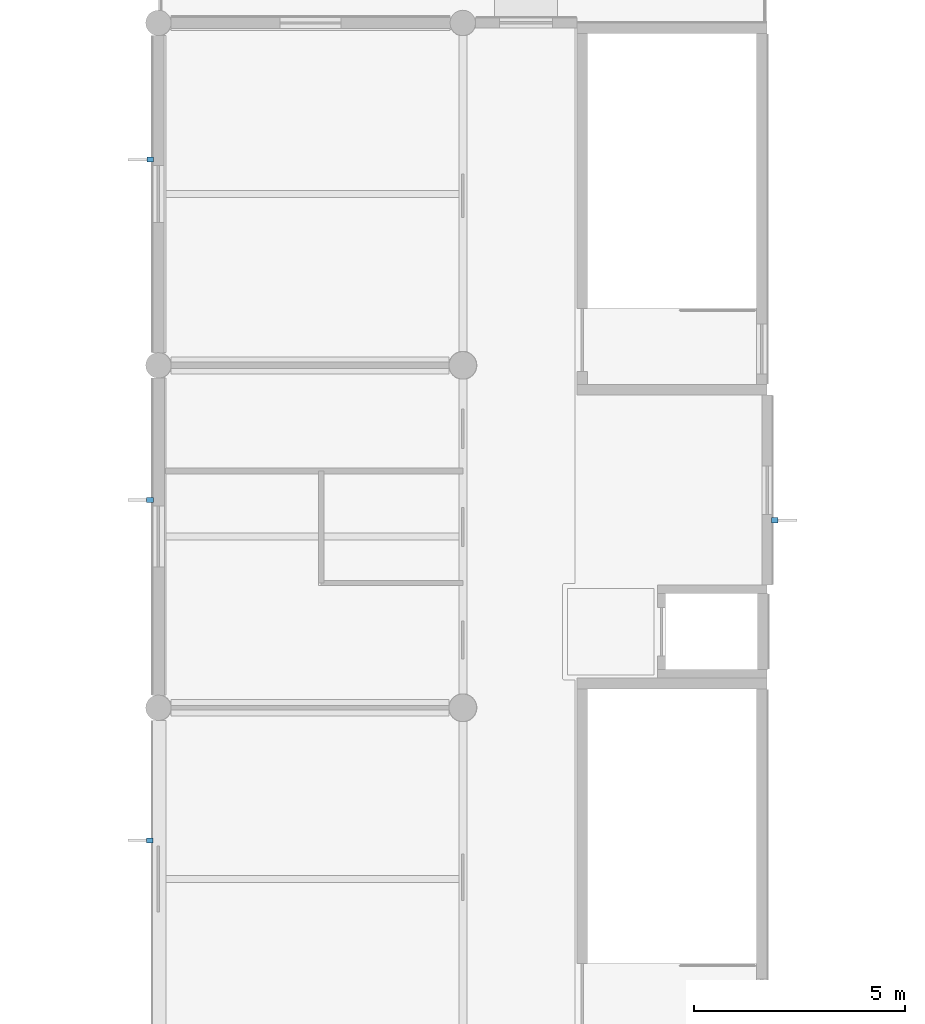
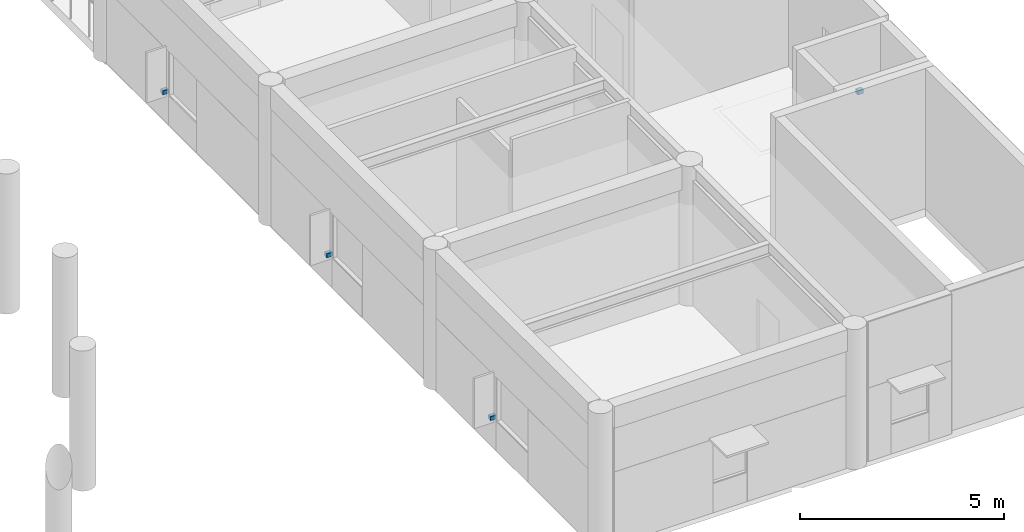
# One storey, part 36 of 55: 4 discrete accessories.
"""IFC4 building model written with IfcOpenShell, lengths in metres."""

from ifc_helpers import new_model, si_unit, direction, frame, origin, origin_2d, place, context, subcontext, project, spatial, rectangle, extrude, material, type_object, element, save


model = new_model("IFC4")

# Units and contexts
model_context = context("Model", 3, precision=1e-05, world=origin(), true_north=direction((0.0, 1.0)))
body_context = subcontext(model_context, "Body", "Model", "MODEL_VIEW")
ifc_project = project(units=[si_unit("LENGTHUNIT", "METRE"), si_unit("AREAUNIT", "SQUARE_METRE"), si_unit("VOLUMEUNIT", "CUBIC_METRE"), si_unit("PLANEANGLEUNIT", "RADIAN"), si_unit("MASSUNIT", "GRAM", prefix="KILO")], contexts=[model_context])

# Site, building, storey
site_placement = place(None, origin())
site = spatial("IfcSite", under=ifc_project, at=site_placement, CompositionType="ELEMENT")
building_placement = place(site_placement, origin())
building = spatial("IfcBuilding", under=site, at=building_placement, Name="Namkhue Oval Health Centre", CompositionType="ELEMENT")
storey_placement = place(building_placement, frame((0.0, 0.0, 9.60009765625)))
storey = spatial("IfcBuildingStorey", under=building, at=storey_placement, Name="L02", CompositionType="ELEMENT", Elevation=9.60009765625)

# Discrete accessories
ifc_material = material(Name="Structural steel S355JR (TCVN CCT38)", Category="steel")
discrete_accessory_type = type_object("IfcDiscreteAccessoryType", Name="FACADE SHADING BRACKET", PredefinedType="BRACKET", material=ifc_material)
for number, where, z_axis, x_axis, name in (
    (1, (151.3798828125, 55.735107421875, 0.89990234375), (0.0, 0.0, 1.0), (1.0, 0.0, 0.0), "Window Fin Bracket 314"),
    (2, (136.60498046875, 64.264892578125, 0.89990234375), (0.0, 0.0, 1.0), (-1.0, 0.0, 0.0), "Window Fin Bracket 316"),
    (3, (136.60009765625, 56.215087890625, 0.89990234375), (0.0, 0.0, 1.0), (-1.0, 0.0, 0.0), "Window Fin Bracket 317"),
    (4, (136.594970703125, 48.1650390625, 0.89990234375), (0.0, 0.0, 1.0), (-1.0, 0.0, 0.0), "Window Fin Bracket 318"),
):
    element("IfcDiscreteAccessory", number, at=place(storey_placement, frame(where, z_axis=z_axis, x_axis=x_axis)), inside=storey, type_object=discrete_accessory_type, Name=name, PredefinedType="BRACKET", context=body_context, shape_type="SweptSolid", body=[
        extrude(rectangle(XDim=0.159912109375, YDim=0.1201171875, at=origin_2d()), origin(), (0.0, 0.0, 1.0), 0.1201171875),
    ])

save(model, "model.ifc")
